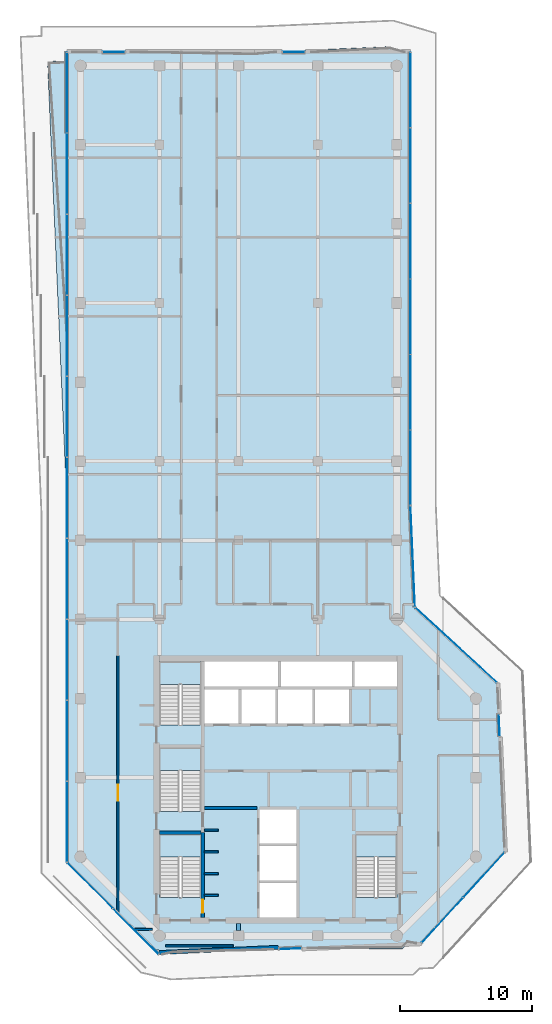
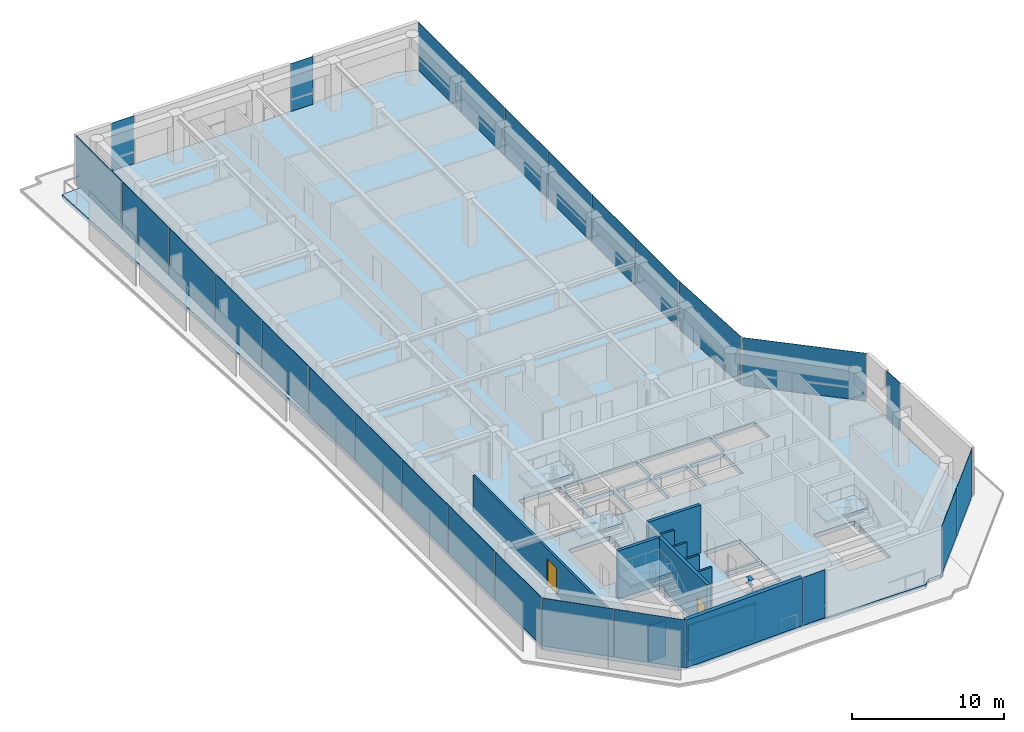
# One storey, part 16 of 21: 26 plates, 11 walls, 5 slabs, 2 doors, 1 beam, 2 openings, 14 elements without a shape of their own.
"""IFC4 building model written with IfcOpenShell, lengths in metres."""

from ifc_helpers import new_model, si_unit, direction, frame, frame_2d, origin, origin_2d, place, context, subcontext, project, spatial, polyline, rectangle, i_section, outline, extrude, material, layer, layer_set, material_profile, profile_set, type_object, element, fill, aggregate, save


model = new_model("IFC4")

# Units and contexts
model_context = context("Model", 3, precision=1e-05, world=origin(), true_north=direction((0.0, 1.0)))
body_context = subcontext(model_context, "Body", "Model", "MODEL_VIEW")
ifc_project = project(units=[si_unit("LENGTHUNIT", "METRE"), si_unit("AREAUNIT", "SQUARE_METRE"), si_unit("VOLUMEUNIT", "CUBIC_METRE"), si_unit("PLANEANGLEUNIT", "RADIAN"), si_unit("MASSUNIT", "GRAM", prefix="KILO")], contexts=[model_context])

# Site, building, storey
site_placement = place(None, origin())
site = spatial("IfcSite", under=ifc_project, at=site_placement, CompositionType="ELEMENT")
building_placement = place(site_placement, origin())
building = spatial("IfcBuilding", under=site, at=building_placement, Name="Welwitschia Terrace Campus", CompositionType="ELEMENT")
storey_placement = place(building_placement, frame((0.0, 0.0, 218.0)))
storey = spatial("IfcBuildingStorey", under=building, at=storey_placement, Name="L48", CompositionType="ELEMENT", Elevation=218.0)

# Beam
ifc_material_1 = material(Name="Steel S355", Category="steel")
ifc_material_profile = material_profile(ifc_material_1, i_section(OverallWidth=0.300048828125, OverallDepth=0.489990234375, WebThickness=0.011962890625, FlangeThickness=0.02294921875, FilletRadius=0.027099609375, at=origin_2d()))
ifc_profile_set = profile_set([ifc_material_profile], Name="Steel S355")
beam_type = type_object("IfcBeamType", Name="Primary beam HE 500 A", PredefinedType="BEAM", material=ifc_profile_set)
beam_placement = place(storey_placement, frame((12.0, 4.400390625, 3.60498046875), z_axis=(0.0, 1.0, 0.0), x_axis=(-1.0, 0.0, 0.0)))
element("IfcBeam", 1, at=beam_placement, inside=storey, type_object=beam_type, Name="Primary beam PB5", PredefinedType="BEAM", context=body_context, shape_type="SweptSolid", body=[
    extrude(i_section(OverallWidth=0.300048828125, OverallDepth=0.489990234375, WebThickness=0.011962890625, FlangeThickness=0.02294921875, FilletRadius=0.027099609375, at=origin_2d()), origin(), (0.0, 0.0, 1.0), 0.549560546875),
])

# Curtain wall, plates
ifc_material_2 = material(Name="Bronze anodised aluminium", Category="aluminium")
ifc_layer_1 = layer(ifc_material_2, 0.1201171875)
ifc_layer_set_1 = layer_set([ifc_layer_1], Name="Bronze anodised aluminium")
curtain_wall_type = type_object("IfcCurtainWallType", Name="Curtain wall CW2 tower 6000", PredefinedType="NOTDEFINED", material=ifc_layer_set_1)
curtain_wall_1_placement = place(storey_placement, origin())
curtain_wall_1 = element("IfcCurtainWall", 2, at=curtain_wall_1_placement, inside=storey, type_object=curtain_wall_type, Name="CW L48.0.0", PredefinedType="NOTDEFINED")
ifc_material_3 = material(Name="Tinted bronze-grey glass", Category="glass")
ifc_layer_2 = layer(ifc_material_3, 0.028076171875)
ifc_layer_set_2 = layer_set([ifc_layer_2], Name="Tinted bronze-grey glass")
plate_type = type_object("IfcPlateType", Name="Glass panel 28 tinted", PredefinedType="CURTAIN_PANEL", material=ifc_layer_set_2)
plate_1_placement = place(storey_placement, frame((0.726806640625, 7.81640625, 0.0), z_axis=(0.0, 0.0, 1.0), x_axis=(0.707106781187, -0.707106781187, 0.0)))
plate_1 = element("IfcPlate", 3, at=plate_1_placement, type_object=plate_type, Name="Panel L48.0.0.0", PredefinedType="CURTAIN_PANEL", context=body_context, shape_type="SweptSolid", body=[
    extrude(rectangle(XDim=4.849365234375, YDim=0.028076171875, at=origin_2d()), origin(), (0.0, 0.0, 1.0), 3.85009765625),
])
plate_2_placement = place(storey_placement, frame((4.1982421875, 4.344970703125, 0.0), z_axis=(0.0, 0.0, 1.0), x_axis=(0.707106781187, -0.707106781187, 0.0)))
plate_2 = element("IfcPlate", 4, at=plate_2_placement, type_object=plate_type, Name="Panel L48.0.0.1", PredefinedType="CURTAIN_PANEL", context=body_context, shape_type="SweptSolid", body=[
    extrude(rectangle(XDim=4.849365234375, YDim=0.028076171875, at=origin_2d()), origin(), (0.0, 0.0, 1.0), 3.85009765625),
])
aggregate(curtain_wall_1, [plate_1, plate_2])

# Curtain wall, plate
curtain_wall_2_placement = place(storey_placement, origin())
curtain_wall_2 = element("IfcCurtainWall", 5, at=curtain_wall_2_placement, inside=storey, type_object=curtain_wall_type, Name="CW L48.1.S0", PredefinedType="NOTDEFINED")
plate_3_placement = place(storey_placement, frame((15.914794921875, 3.02294921875, 0.0), z_axis=(0.0, 0.0, 1.0), x_axis=(0.999048221582, 0.043619387365, 0.0)))
plate_3 = element("IfcPlate", 6, at=plate_3_placement, type_object=plate_type, Name="Panel L48.1.S0.0", PredefinedType="CURTAIN_PANEL", context=body_context, shape_type="SweptSolid", body=[
    extrude(rectangle(XDim=1.679931640625, YDim=0.028076171875, at=origin_2d()), origin(), (0.0, 0.0, 1.0), 3.85009765625),
])
aggregate(curtain_wall_2, [plate_3])

# Curtain wall, plates
curtain_wall_3_placement = place(storey_placement, origin())
curtain_wall_3 = element("IfcCurtainWall", 7, at=curtain_wall_3_placement, inside=storey, type_object=curtain_wall_type, Name="CW L48.2.0", PredefinedType="NOTDEFINED")
plate_4_placement = place(storey_placement, frame((27.461669921875, 5.190185546875, 0.0), z_axis=(0.0, 0.0, 1.0), x_axis=(0.675590207616, 0.73727733681, 0.0)))
plate_4 = element("IfcPlate", 8, at=plate_4_placement, type_object=plate_type, Name="Panel L48.2.0.0", PredefinedType="CURTAIN_PANEL", context=body_context, shape_type="SweptSolid", body=[
    extrude(rectangle(XDim=4.579345703125, YDim=0.028076171875, at=origin_2d()), origin(), (0.0, 0.0, 1.0), 3.85009765625),
])
plate_5_placement = place(storey_placement, frame((30.595947265625, 8.610595703125, 0.0), z_axis=(0.0, 0.0, 1.0), x_axis=(0.675590207616, 0.73727733681, 0.0)))
plate_5 = element("IfcPlate", 9, at=plate_5_placement, type_object=plate_type, Name="Panel L48.2.0.1", PredefinedType="CURTAIN_PANEL", context=body_context, shape_type="SweptSolid", body=[
    extrude(rectangle(XDim=4.579345703125, YDim=0.028076171875, at=origin_2d()), origin(), (0.0, 0.0, 1.0), 3.85009765625),
])
aggregate(curtain_wall_3, [plate_4, plate_5])

# Curtain wall, plate
curtain_wall_4_placement = place(storey_placement, origin())
curtain_wall_4 = element("IfcCurtainWall", 10, at=curtain_wall_4_placement, inside=storey, type_object=curtain_wall_type, Name="CW L48.3.S0", PredefinedType="NOTDEFINED")
plate_6_placement = place(storey_placement, frame((31.762939453125, 19.9736328125, 0.0), z_axis=(0.0, 0.0, 1.0), x_axis=(-0.043619387365, 0.999048221582, 0.0)))
plate_6 = element("IfcPlate", 11, at=plate_6_placement, type_object=plate_type, Name="Panel L48.3.S0.0", PredefinedType="CURTAIN_PANEL", context=body_context, shape_type="SweptSolid", body=[
    extrude(rectangle(XDim=1.679931640625, YDim=0.028076171875, at=origin_2d()), origin(), (0.0, 0.0, 1.0), 3.85009765625),
])
aggregate(curtain_wall_4, [plate_6])

curtain_wall_5_placement = place(storey_placement, origin())
curtain_wall_5 = element("IfcCurtainWall", 12, at=curtain_wall_5_placement, inside=storey, type_object=curtain_wall_type, Name="CW L48.4.0", PredefinedType="NOTDEFINED")
plate_7_placement = place(storey_placement, frame((28.494873046875, 26.05029296875, 0.0), z_axis=(0.0, 0.0, 1.0), x_axis=(-0.73727733681, 0.675590207616, 0.0)))
plate_7 = element("IfcPlate", 13, at=plate_7_placement, type_object=plate_type, Name="Panel L48.4.0.0", PredefinedType="CURTAIN_PANEL", context=body_context, shape_type="SweptSolid", body=[
    extrude(rectangle(XDim=8.365234375, YDim=0.028076171875, at=origin_2d()), origin(), (0.0, 0.0, 1.0), 3.85009765625),
])
aggregate(curtain_wall_5, [plate_7])

curtain_wall_6_placement = place(storey_placement, origin())
curtain_wall_6 = element("IfcCurtainWall", 14, at=curtain_wall_6_placement, inside=storey, type_object=curtain_wall_type, Name="CW L48.5.0", PredefinedType="NOTDEFINED")
plate_8_placement = place(storey_placement, frame((25.198486328125, 32.77294921875, 0.0), z_axis=(0.0, 0.0, 1.0), x_axis=(-0.043619387365, 0.999048221582, 0.0)))
plate_8 = element("IfcPlate", 15, at=plate_8_placement, type_object=plate_type, Name="Panel L48.5.0.0", PredefinedType="CURTAIN_PANEL", context=body_context, shape_type="SweptSolid", body=[
    extrude(rectangle(XDim=7.60009765625, YDim=0.028076171875, at=origin_2d()), origin(), (0.0, 0.0, 1.0), 3.85009765625),
])
aggregate(curtain_wall_6, [plate_8])

# Curtain wall, plates
curtain_wall_7_placement = place(storey_placement, origin())
curtain_wall_7 = element("IfcCurtainWall", 16, at=curtain_wall_7_placement, inside=storey, type_object=curtain_wall_type, Name="CW L48.6.0", PredefinedType="NOTDEFINED")
plate_9_placement = place(storey_placement, frame((25.030029296875, 39.510498046875, 0.0), z_axis=(0.0, 0.0, 1.0), x_axis=(0.0, 1.0, 0.0)))
plate_9 = element("IfcPlate", 17, at=plate_9_placement, type_object=plate_type, Name="Panel L48.6.0.0", PredefinedType="CURTAIN_PANEL", context=body_context, shape_type="SweptSolid", body=[
    extrude(rectangle(XDim=5.64208984375, YDim=0.028076171875, at=origin_2d()), origin(), (0.0, 0.0, 1.0), 3.85009765625),
])
plate_10_placement = place(storey_placement, frame((25.030029296875, 45.2275390625, 0.0), z_axis=(0.0, 0.0, 1.0), x_axis=(0.0, 1.0, 0.0)))
plate_10 = element("IfcPlate", 18, at=plate_10_placement, type_object=plate_type, Name="Panel L48.6.0.1", PredefinedType="CURTAIN_PANEL", context=body_context, shape_type="SweptSolid", body=[
    extrude(rectangle(XDim=5.672119140625, YDim=0.028076171875, at=origin_2d()), origin(), (0.0, 0.0, 1.0), 3.85009765625),
])
plate_11_placement = place(storey_placement, frame((25.030029296875, 50.959716796875, 0.0), z_axis=(0.0, 0.0, 1.0), x_axis=(0.0, 1.0, 0.0)))
plate_11 = element("IfcPlate", 19, at=plate_11_placement, type_object=plate_type, Name="Panel L48.6.0.2", PredefinedType="CURTAIN_PANEL", context=body_context, shape_type="SweptSolid", body=[
    extrude(rectangle(XDim=5.672119140625, YDim=0.028076171875, at=origin_2d()), origin(), (0.0, 0.0, 1.0), 3.85009765625),
])
plate_12_placement = place(storey_placement, frame((25.030029296875, 56.69189453125, 0.0), z_axis=(0.0, 0.0, 1.0), x_axis=(0.0, 1.0, 0.0)))
plate_12 = element("IfcPlate", 20, at=plate_12_placement, type_object=plate_type, Name="Panel L48.6.0.3", PredefinedType="CURTAIN_PANEL", context=body_context, shape_type="SweptSolid", body=[
    extrude(rectangle(XDim=5.672119140625, YDim=0.028076171875, at=origin_2d()), origin(), (0.0, 0.0, 1.0), 3.85009765625),
])
plate_13_placement = place(storey_placement, frame((25.030029296875, 62.424072265625, 0.0), z_axis=(0.0, 0.0, 1.0), x_axis=(0.0, 1.0, 0.0)))
plate_13 = element("IfcPlate", 21, at=plate_13_placement, type_object=plate_type, Name="Panel L48.6.0.4", PredefinedType="CURTAIN_PANEL", context=body_context, shape_type="SweptSolid", body=[
    extrude(rectangle(XDim=5.672119140625, YDim=0.028076171875, at=origin_2d()), origin(), (0.0, 0.0, 1.0), 3.85009765625),
])
plate_14_placement = place(storey_placement, frame((25.030029296875, 68.141357421875, 0.0), z_axis=(0.0, 0.0, 1.0), x_axis=(0.0, 1.0, 0.0)))
plate_14 = element("IfcPlate", 22, at=plate_14_placement, type_object=plate_type, Name="Panel L48.6.0.5", PredefinedType="CURTAIN_PANEL", context=body_context, shape_type="SweptSolid", body=[
    extrude(rectangle(XDim=5.64208984375, YDim=0.028076171875, at=origin_2d()), origin(), (0.0, 0.0, 1.0), 3.85009765625),
])
aggregate(curtain_wall_7, [plate_9, plate_10, plate_11, plate_12, plate_13, plate_14])

# Curtain wall, plate
curtain_wall_8_placement = place(storey_placement, origin())
curtain_wall_8 = element("IfcCurtainWall", 23, at=curtain_wall_8_placement, inside=storey, type_object=curtain_wall_type, Name="CW L48.7.S0", PredefinedType="NOTDEFINED")
plate_15_placement = place(storey_placement, frame((16.17041015625, 71.028076171875, 0.0), z_axis=(0.0, 0.0, 1.0), x_axis=(-0.999999794897, 0.000640473955, 0.0)))
plate_15 = element("IfcPlate", 24, at=plate_15_placement, type_object=plate_type, Name="Panel L48.7.S0.0", PredefinedType="CURTAIN_PANEL", context=body_context, shape_type="SweptSolid", body=[
    extrude(rectangle(XDim=1.679931640625, YDim=0.028076171875, at=origin_2d()), origin(), (0.0, 0.0, 1.0), 3.85009765625),
])
aggregate(curtain_wall_8, [plate_15])

curtain_wall_9_placement = place(storey_placement, origin())
curtain_wall_9 = element("IfcCurtainWall", 25, at=curtain_wall_9_placement, inside=storey, type_object=curtain_wall_type, Name="CW L48.8.S0", PredefinedType="NOTDEFINED")
plate_16_placement = place(storey_placement, frame((2.53173828125, 71.030029296875, 0.0), z_axis=(0.0, 0.0, 1.0), x_axis=(-1.0, 0.0, 0.0)))
plate_16 = element("IfcPlate", 26, at=plate_16_placement, type_object=plate_type, Name="Panel L48.8.S0.0", PredefinedType="CURTAIN_PANEL", context=body_context, shape_type="SweptSolid", body=[
    extrude(rectangle(XDim=1.679931640625, YDim=0.028076171875, at=origin_2d()), origin(), (0.0, 0.0, 1.0), 3.85009765625),
])
aggregate(curtain_wall_9, [plate_16])

# Curtain wall, plates
curtain_wall_10_placement = place(storey_placement, origin())
curtain_wall_10 = element("IfcCurtainWall", 27, at=curtain_wall_10_placement, inside=storey, type_object=curtain_wall_type, Name="CW L48.9.0", PredefinedType="NOTDEFINED")
plate_17_placement = place(storey_placement, frame((-1.030029296875, 67.942138671875, 0.0), z_axis=(0.0, 0.0, 1.0), x_axis=(0.0, -1.0, 0.0)))
plate_17 = element("IfcPlate", 28, at=plate_17_placement, type_object=plate_type, Name="Panel L48.9.0.0", PredefinedType="CURTAIN_PANEL", context=body_context, shape_type="SweptSolid", body=[
    extrude(rectangle(XDim=6.0556640625, YDim=0.028076171875, at=origin_2d()), origin(), (0.0, 0.0, 1.0), 3.85009765625),
])
plate_18_placement = place(storey_placement, frame((-1.030029296875, 61.8115234375, 0.0), z_axis=(0.0, 0.0, 1.0), x_axis=(0.0, -1.0, 0.0)))
plate_18 = element("IfcPlate", 29, at=plate_18_placement, type_object=plate_type, Name="Panel L48.9.0.1", PredefinedType="CURTAIN_PANEL", context=body_context, shape_type="SweptSolid", body=[
    extrude(rectangle(XDim=6.085693359375, YDim=0.028076171875, at=origin_2d()), origin(), (0.0, 0.0, 1.0), 3.85009765625),
])
plate_19_placement = place(storey_placement, frame((-1.030029296875, 55.665771484375, 0.0), z_axis=(0.0, 0.0, 1.0), x_axis=(0.0, -1.0, 0.0)))
plate_19 = element("IfcPlate", 30, at=plate_19_placement, type_object=plate_type, Name="Panel L48.9.0.2", PredefinedType="CURTAIN_PANEL", context=body_context, shape_type="SweptSolid", body=[
    extrude(rectangle(XDim=6.085693359375, YDim=0.028076171875, at=origin_2d()), origin(), (0.0, 0.0, 1.0), 3.85009765625),
])
plate_20_placement = place(storey_placement, frame((-1.030029296875, 49.520263671875, 0.0), z_axis=(0.0, 0.0, 1.0), x_axis=(0.0, -1.0, 0.0)))
plate_20 = element("IfcPlate", 31, at=plate_20_placement, type_object=plate_type, Name="Panel L48.9.0.3", PredefinedType="CURTAIN_PANEL", context=body_context, shape_type="SweptSolid", body=[
    extrude(rectangle(XDim=6.085693359375, YDim=0.028076171875, at=origin_2d()), origin(), (0.0, 0.0, 1.0), 3.85009765625),
])
plate_21_placement = place(storey_placement, frame((-1.030029296875, 43.37451171875, 0.0), z_axis=(0.0, 0.0, 1.0), x_axis=(0.0, -1.0, 0.0)))
plate_21 = element("IfcPlate", 32, at=plate_21_placement, type_object=plate_type, Name="Panel L48.9.0.4", PredefinedType="CURTAIN_PANEL", context=body_context, shape_type="SweptSolid", body=[
    extrude(rectangle(XDim=6.085693359375, YDim=0.028076171875, at=origin_2d()), origin(), (0.0, 0.0, 1.0), 3.85009765625),
])
plate_22_placement = place(storey_placement, frame((-1.030029296875, 37.228759765625, 0.0), z_axis=(0.0, 0.0, 1.0), x_axis=(0.0, -1.0, 0.0)))
plate_22 = element("IfcPlate", 33, at=plate_22_placement, type_object=plate_type, Name="Panel L48.9.0.5", PredefinedType="CURTAIN_PANEL", context=body_context, shape_type="SweptSolid", body=[
    extrude(rectangle(XDim=6.085693359375, YDim=0.028076171875, at=origin_2d()), origin(), (0.0, 0.0, 1.0), 3.85009765625),
])
plate_23_placement = place(storey_placement, frame((-1.030029296875, 31.083251953125, 0.0), z_axis=(0.0, 0.0, 1.0), x_axis=(0.0, -1.0, 0.0)))
plate_23 = element("IfcPlate", 34, at=plate_23_placement, type_object=plate_type, Name="Panel L48.9.0.6", PredefinedType="CURTAIN_PANEL", context=body_context, shape_type="SweptSolid", body=[
    extrude(rectangle(XDim=6.085693359375, YDim=0.028076171875, at=origin_2d()), origin(), (0.0, 0.0, 1.0), 3.85009765625),
])
plate_24_placement = place(storey_placement, frame((-1.030029296875, 24.9375, 0.0), z_axis=(0.0, 0.0, 1.0), x_axis=(0.0, -1.0, 0.0)))
plate_24 = element("IfcPlate", 35, at=plate_24_placement, type_object=plate_type, Name="Panel L48.9.0.7", PredefinedType="CURTAIN_PANEL", context=body_context, shape_type="SweptSolid", body=[
    extrude(rectangle(XDim=6.085693359375, YDim=0.028076171875, at=origin_2d()), origin(), (0.0, 0.0, 1.0), 3.85009765625),
])
plate_25_placement = place(storey_placement, frame((-1.030029296875, 18.791748046875, 0.0), z_axis=(0.0, 0.0, 1.0), x_axis=(0.0, -1.0, 0.0)))
plate_25 = element("IfcPlate", 36, at=plate_25_placement, type_object=plate_type, Name="Panel L48.9.0.8", PredefinedType="CURTAIN_PANEL", context=body_context, shape_type="SweptSolid", body=[
    extrude(rectangle(XDim=6.085693359375, YDim=0.028076171875, at=origin_2d()), origin(), (0.0, 0.0, 1.0), 3.85009765625),
])
plate_26_placement = place(storey_placement, frame((-1.030029296875, 12.6611328125, 0.0), z_axis=(0.0, 0.0, 1.0), x_axis=(0.0, -1.0, 0.0)))
plate_26 = element("IfcPlate", 37, at=plate_26_placement, type_object=plate_type, Name="Panel L48.9.0.9", PredefinedType="CURTAIN_PANEL", context=body_context, shape_type="SweptSolid", body=[
    extrude(rectangle(XDim=6.0556640625, YDim=0.028076171875, at=origin_2d()), origin(), (0.0, 0.0, 1.0), 3.85009765625),
])
aggregate(curtain_wall_10, [plate_17, plate_18, plate_19, plate_20, plate_21, plate_22, plate_23, plate_24, plate_25, plate_26])

# Stair, slab
ifc_material_4 = material(Name="Concrete C40/50", Category="concrete")
stair_type = type_object("IfcStairType", Name="Stair 24R 175 W1500", PredefinedType="HALF_TURN_STAIR", material=ifc_material_4)
stair_1_placement = place(storey_placement, origin())
stair_1 = element("IfcStair", 38, at=stair_1_placement, inside=storey, type_object=stair_type, Name="L48 Exit stair S1", PredefinedType="HALF_TURN_STAIR")
ifc_material_5 = material(Name="Concrete C40/50", Category="concrete")
ifc_layer_3 = layer(ifc_material_5, 0.199951171875)
ifc_layer_set_3 = layer_set([ifc_layer_3], Name="Concrete C40/50")
slab_type_1 = type_object("IfcSlabType", Name="Stair landing RC", PredefinedType="LANDING", material=ifc_layer_set_3)
slab_1_placement = place(storey_placement, frame((0.0, 0.0, 1.89990234375)))
slab_1 = element("IfcSlab", 39, at=slab_1_placement, type_object=slab_type_1, Name="S1 landing 1", PredefinedType="LANDING", context=body_context, shape_type="SweptSolid", body=[
    extrude(outline(polyline([(9.14990234375, 9.97998046875), (9.14990234375, 11.699951171875), (6.0, 11.699951171875), (6.0, 9.97998046875), (9.14990234375, 9.97998046875)])), origin(), (0.0, 0.0, 1.0), 0.2001953125),
])
aggregate(stair_1, [slab_1])

stair_2_placement = place(storey_placement, origin())
stair_2 = element("IfcStair", 40, at=stair_2_placement, inside=storey, type_object=stair_type, Name="L48 Exit stair S3", PredefinedType="HALF_TURN_STAIR")
slab_2_placement = place(storey_placement, frame((0.0, 0.0, 1.89990234375)))
slab_2 = element("IfcSlab", 41, at=slab_2_placement, type_object=slab_type_1, Name="S3 landing 1", PredefinedType="LANDING", context=body_context, shape_type="SweptSolid", body=[
    extrude(outline(polyline([(9.14990234375, 16.530029296875), (9.14990234375, 18.25), (6.0, 18.25), (6.0, 16.530029296875), (9.14990234375, 16.530029296875)])), origin(), (0.0, 0.0, 1.0), 0.2001953125),
])
aggregate(stair_2, [slab_2])

stair_3_placement = place(storey_placement, origin())
stair_3 = element("IfcStair", 42, at=stair_3_placement, inside=storey, type_object=stair_type, Name="L48 Exit stair S4", PredefinedType="HALF_TURN_STAIR")
slab_3_placement = place(storey_placement, frame((0.0, 0.0, 1.89990234375)))
slab_3 = element("IfcSlab", 43, at=slab_3_placement, type_object=slab_type_1, Name="S4 landing 1", PredefinedType="LANDING", context=body_context, shape_type="SweptSolid", body=[
    extrude(outline(polyline([(9.14990234375, 23.080078125), (9.14990234375, 24.800048828125), (6.0, 24.800048828125), (6.0, 23.080078125), (9.14990234375, 23.080078125)])), origin(), (0.0, 0.0, 1.0), 0.2001953125),
])
aggregate(stair_3, [slab_3])

stair_4_placement = place(storey_placement, origin())
stair_4 = element("IfcStair", 44, at=stair_4_placement, inside=storey, type_object=stair_type, Name="L48 Exit stair S2", PredefinedType="HALF_TURN_STAIR")
slab_4_placement = place(storey_placement, frame((0.0, 0.0, 1.89990234375)))
slab_4 = element("IfcSlab", 45, at=slab_4_placement, type_object=slab_type_1, Name="S2 landing 1", PredefinedType="LANDING", context=body_context, shape_type="SweptSolid", body=[
    extrude(outline(polyline([(24.0, 9.97998046875), (24.0, 11.699951171875), (20.85009765625, 11.699951171875), (20.85009765625, 9.97998046875), (24.0, 9.97998046875)])), origin(), (0.0, 0.0, 1.0), 0.2001953125),
])
aggregate(stair_4, [slab_4])

# Slab
ifc_material_6 = material(Name="Concrete C40/50", Category="concrete")
ifc_layer_4 = layer(ifc_material_6, 0.35009765625)
ifc_layer_set_4 = layer_set([ifc_layer_4], Name="Concrete C40/50")
slab_type_2 = type_object("IfcSlabType", Name="Suspended floor slab 350", PredefinedType="FLOOR", material=ifc_layer_set_4)
slab_5_placement = place(storey_placement, frame((0.0, 0.0, -0.35009765625)))
element("IfcSlab", 46, at=slab_5_placement, inside=storey, type_object=slab_type_2, Name="Floor slab L48", PredefinedType="FLOOR", context=body_context, shape_type="SweptSolid", body=[
    extrude(outline(polyline([(-2.49560546875, 70.31396484375), (-1.0, 70.379150390625), (-1.0, 71.0), (13.2177734375, 71.0), (23.479736328125, 71.447998046875), (25.0, 71.0), (25.0, 36.628662109375), (25.33740234375, 28.90283203125), (31.59326171875, 23.170166015625), (32.15283203125, 10.35400390625), (25.860595703125, 3.4873046875), (24.857666015625, 3.443359375), (24.414306640625, 3.0), (14.701416015625, 3.0), (7.050048828125, 2.666015625), (5.585693359375, 3.0), (-1.0, 9.585693359375), (-1.0, 36.061279296875), (-2.49560546875, 70.31396484375)]), holes=[polyline([(13.60009765625, 8.0), (13.60009765625, 5.39990234375), (16.39990234375, 5.39990234375), (16.39990234375, 8.0), (13.60009765625, 8.0)]), polyline([(9.14990234375, 11.699951171875), (6.0, 11.699951171875), (6.0, 6.902099609375), (9.14990234375, 6.902099609375), (9.14990234375, 11.699951171875)]), polyline([(9.14990234375, 18.25), (6.0, 18.25), (6.0, 13.451904296875), (9.14990234375, 13.451904296875), (9.14990234375, 18.25)]), polyline([(12.0, 22.699951171875), (9.39990234375, 22.699951171875), (9.39990234375, 20.10009765625), (12.0, 20.10009765625), (12.0, 22.699951171875)]), polyline([(14.800048828125, 22.699951171875), (12.199951171875, 22.699951171875), (12.199951171875, 20.10009765625), (14.800048828125, 20.10009765625), (14.800048828125, 22.699951171875)]), polyline([(9.14990234375, 24.800048828125), (6.0, 24.800048828125), (6.0, 20.001953125), (9.14990234375, 20.001953125), (9.14990234375, 24.800048828125)]), polyline([(15.0, 24.800048828125), (9.39990234375, 24.800048828125), (9.39990234375, 22.89990234375), (15.0, 22.89990234375), (15.0, 24.800048828125)]), polyline([(20.85009765625, 11.699951171875), (20.85009765625, 6.902099609375), (24.0, 6.902099609375), (24.0, 11.699951171875), (20.85009765625, 11.699951171875)]), polyline([(16.39990234375, 10.800048828125), (13.60009765625, 10.800048828125), (13.60009765625, 8.199951171875), (16.39990234375, 8.199951171875), (16.39990234375, 10.800048828125)]), polyline([(16.39990234375, 13.60009765625), (13.60009765625, 13.60009765625), (13.60009765625, 11.0), (16.39990234375, 11.0), (16.39990234375, 13.60009765625)]), polyline([(17.60009765625, 22.699951171875), (15.0, 22.699951171875), (15.0, 20.10009765625), (17.60009765625, 20.10009765625), (17.60009765625, 22.699951171875)]), polyline([(20.39990234375, 22.699951171875), (17.800048828125, 22.699951171875), (17.800048828125, 20.10009765625), (20.39990234375, 20.10009765625), (20.39990234375, 22.699951171875)]), polyline([(20.60009765625, 24.800048828125), (15.199951171875, 24.800048828125), (15.199951171875, 22.89990234375), (20.60009765625, 22.89990234375), (20.60009765625, 24.800048828125)]), polyline([(24.0, 24.800048828125), (20.800048828125, 24.800048828125), (20.800048828125, 22.89990234375), (24.0, 22.89990234375), (24.0, 24.800048828125)])]), origin(), (0.0, 0.0, 1.0), 0.35009765625),
])

# Walls
ifc_material_7 = material(Name="Concrete C32/40", Category="concrete")
ifc_layer_5 = layer(ifc_material_7, 0.22509765625)
ifc_layer_set_5 = layer_set([ifc_layer_5], Name="Concrete C32/40")
wall_type_1 = type_object("IfcWallType", Name="Core partition 225 Concrete C32/40", PredefinedType="PARTITIONING", material=ifc_layer_set_5)
wall_1_placement = place(storey_placement, frame((9.39990234375, 13.699951171875, 0.0), z_axis=(0.0, 0.0, 1.0), x_axis=(1.0, 0.0, 0.0)))
element("IfcWall", 47, at=wall_1_placement, inside=storey, type_object=wall_type_1, Name="Core partition", PredefinedType="PARTITIONING", context=body_context, shape_type="SweptSolid", body=[
    extrude(rectangle(XDim=4.0, YDim=0.22509765625, at=frame_2d((2.0, 0.0))), origin(), (0.0, 0.0, 1.0), 3.85009765625),
])
ifc_material_8 = material(Name="Concrete C50/60", Category="concrete")
ifc_layer_6 = layer(ifc_material_8, 0.14990234375)
ifc_layer_set_6 = layer_set([ifc_layer_6], Name="Concrete C50/60")
wall_type_2 = type_object("IfcWallType", Name="Core wall 150 Concrete C50/60", PredefinedType="SHEAR", material=ifc_layer_set_6)
for number, where, z_axis, x_axis, name in (
    (48, (9.39990234375, 7.074951171875, 0.0), (0.0, 0.0, 1.0), (1.0, 0.0, 0.0), "Core wall"),
    (49, (9.39990234375, 8.72509765625, 0.0), (0.0, 0.0, 1.0), (1.0, 0.0, 0.0), "Core wall"),
    (50, (9.39990234375, 10.375, 0.0), (0.0, 0.0, 1.0), (1.0, 0.0, 0.0), "Core wall"),
    (51, (9.39990234375, 12.02490234375, 0.0), (0.0, 0.0, 1.0), (1.0, 0.0, 0.0), "Core wall"),
):
    element("IfcWall", number, at=place(storey_placement, frame(where, z_axis=z_axis, x_axis=x_axis)), inside=storey, type_object=wall_type_2, Name=name, PredefinedType="SHEAR", context=body_context, shape_type="SweptSolid", body=[
        extrude(rectangle(XDim=1.050048828125, YDim=0.14990234375, at=frame_2d((0.52490234375, 0.0))), origin(), (0.0, 0.0, 1.0), 3.85009765625),
    ])
ifc_material_9 = material(Name="Concrete C50/60", Category="concrete")
ifc_layer_7 = layer(ifc_material_9, 0.25)
ifc_layer_set_7 = layer_set([ifc_layer_7], Name="Concrete C50/60")
wall_type_3 = type_object("IfcWallType", Name="Core wall 250 Concrete C50/60", PredefinedType="SHEAR", material=ifc_layer_set_7)
wall_2_placement = place(storey_placement, frame((6.0, 11.824951171875, 0.0), z_axis=(0.0, 0.0, 1.0), x_axis=(1.0, 0.0, 0.0)))
element("IfcWall", 52, at=wall_2_placement, inside=storey, type_object=wall_type_3, Name="Core wall", PredefinedType="SHEAR", context=body_context, shape_type="SweptSolid", body=[
    extrude(rectangle(XDim=3.14990234375, YDim=0.25, at=frame_2d((1.574951171875, 0.0))), origin(), (0.0, 0.0, 1.0), 3.85009765625),
])

# Wall, opening, door
wall_3_placement = place(storey_placement, frame((9.27490234375, 11.824951171875, 0.0), z_axis=(0.0, 0.0, 1.0), x_axis=(0.0, -1.0, 0.0)))
wall_3 = element("IfcWall", 53, at=wall_3_placement, inside=storey, type_object=wall_type_3, Name="Core wall", PredefinedType="SHEAR", context=body_context, shape_type="SweptSolid", body=[
    extrude(rectangle(XDim=6.425048828125, YDim=0.25, at=frame_2d((3.21240234375, 0.0))), origin(), (0.0, 0.0, 1.0), 3.85009765625),
])
opening_1_placement = place(wall_3_placement, frame((5.074951171875, 0.0, 0.0)))
opening_1 = element("IfcOpeningElement", 54, at=opening_1_placement, cuts=wall_3, Name="Opening DS10", PredefinedType="OPENING", context=body_context, shape_type="SweptSolid", body=[
    extrude(rectangle(XDim=1.0, YDim=2.10009765625, at=frame_2d((0.5, 1.050048828125))), frame((0.0, 0.135009765625, 0.0), z_axis=(0.0, -1.0, 0.0), x_axis=(1.0, 0.0, 0.0)), (0.0, 0.0, 1.0), 0.27001953125),
])
ifc_material_10 = material(Name="Steel S275", Category="steel")
door_type_1 = type_object("IfcDoorType", Name="Core door DS10", OperationType="SINGLE_SWING_LEFT", PredefinedType="DOOR", material=ifc_material_10)
door_1_placement = place(opening_1_placement, origin())
door_1 = element("IfcDoor", 55, at=door_1_placement, inside=storey, type_object=door_type_1, Name="Door S1-FL", OperationType="SINGLE_SWING_RIGHT", OverallHeight=2.10009765625, OverallWidth=1.0, PredefinedType="DOOR", context=body_context, shape_type="SweptSolid", body=[
    extrude(rectangle(XDim=1.0, YDim=2.10009765625, at=frame_2d((0.5, 1.050048828125))), frame((0.0, 0.02490234375, 0.0), z_axis=(0.0, -1.0, 0.0), x_axis=(1.0, 0.0, 0.0)), (0.0, 0.0, 1.0), 0.050048828125),
])
fill(opening_1, door_1)

ifc_material_11 = material(Name="Gypsum board on steel studs", Category="steel")
ifc_layer_8 = layer(ifc_material_11, 0.14990234375)
ifc_layer_set_8 = layer_set([ifc_layer_8], Name="Gypsum board on steel studs")
wall_type_4 = type_object("IfcWallType", Name="Corridor partition 150 EI 30", PredefinedType="PARTITIONING", material=ifc_layer_set_8)
wall_4_placement = place(storey_placement, frame((2.85009765625, 5.77001953125, 0.0), z_axis=(0.0, 0.0, 1.0), x_axis=(0.0, 1.0, 0.0)))
wall_4 = element("IfcWall", 56, at=wall_4_placement, inside=storey, type_object=wall_type_4, Name="Partition", PredefinedType="PARTITIONING", context=body_context, shape_type="SweptSolid", body=[
    extrude(rectangle(XDim=19.47998046875, YDim=0.14990234375, at=frame_2d((9.739990234375, 0.0))), origin(), (0.0, 0.0, 1.0), 2.8798828125),
])
opening_2_placement = place(wall_4_placement, frame((8.47998046875, 0.0, 0.0)))
opening_2 = element("IfcOpeningElement", 57, at=opening_2_placement, cuts=wall_4, Name="Opening DI12", PredefinedType="OPENING", context=body_context, shape_type="SweptSolid", body=[
    extrude(rectangle(XDim=1.199951171875, YDim=2.10009765625, at=frame_2d((0.60009765625, 1.050048828125))), frame((0.0, 0.0849609375, 0.0), z_axis=(0.0, -1.0, 0.0), x_axis=(1.0, 0.0, 0.0)), (0.0, 0.0, 1.0), 0.169921875),
])
ifc_material_12 = material(Name="Timber veneered door", Category="wood")
door_type_2 = type_object("IfcDoorType", Name="Interior door DI12", OperationType="NOTDEFINED", PredefinedType="DOOR", material=ifc_material_12)
door_2_placement = place(opening_2_placement, origin())
door_2 = element("IfcDoor", 58, at=door_2_placement, inside=storey, type_object=door_type_2, Name="Door L48 897", OperationType="SINGLE_SWING_RIGHT", OverallHeight=2.10009765625, OverallWidth=1.199951171875, PredefinedType="DOOR", context=body_context, shape_type="SweptSolid", body=[
    extrude(rectangle(XDim=1.199951171875, YDim=2.10009765625, at=frame_2d((0.60009765625, 1.050048828125))), frame((0.0, 0.02490234375, 0.0), z_axis=(0.0, -1.0, 0.0), x_axis=(1.0, 0.0, 0.0)), (0.0, 0.0, 1.0), 0.050048828125),
])
fill(opening_2, door_2)

# Walls
wall_5_placement = place(storey_placement, frame((4.110107421875, 4.5, 0.0), z_axis=(0.0, 0.0, 1.0), x_axis=(1.0, 0.0, 0.0)))
element("IfcWall", 59, at=wall_5_placement, inside=storey, type_object=wall_type_4, Name="Partition", PredefinedType="PARTITIONING", context=body_context, shape_type="SweptSolid", body=[
    extrude(rectangle(XDim=1.33984375, YDim=0.14990234375, at=frame_2d((0.669921875, 0.0))), origin(), (0.0, 0.0, 1.0), 2.8798828125),
])
wall_6_placement = place(storey_placement, frame((6.4599609375, 3.25, 0.0), z_axis=(0.0, 0.0, 1.0), x_axis=(1.0, 0.0, 0.0)))
element("IfcWall", 60, at=wall_6_placement, inside=storey, type_object=wall_type_4, Name="Partition", PredefinedType="PARTITIONING", context=body_context, shape_type="SweptSolid", body=[
    extrude(rectangle(XDim=5.130126953125, YDim=0.14990234375, at=frame_2d((2.56494140625, 0.0))), origin(), (0.0, 0.0, 1.0), 2.8798828125),
])
ifc_material_13 = material(Name="Concrete C40/50", Category="concrete")
ifc_layer_9 = layer(ifc_material_13, 0.300048828125)
ifc_layer_set_9 = layer_set([ifc_layer_9], Name="Concrete C40/50")
wall_type_5 = type_object("IfcWallType", Name="Mass wall 300", PredefinedType="SOLIDWALL", material=ifc_layer_set_9)
wall_7_placement = place(storey_placement, frame((5.94873046875, 2.738037109375, 0.0), z_axis=(0.0, 0.0, 1.0), x_axis=(0.99904857496, 0.043611292917, 0.0)))
element("IfcWall", 61, at=wall_7_placement, inside=storey, type_object=wall_type_5, Name="Mass wall L48.1.0", PredefinedType="SOLIDWALL", context=body_context, shape_type="SweptSolid", body=[
    extrude(rectangle(XDim=9.06884765625, YDim=0.300048828125, at=frame_2d((4.534423828125, 0.0))), origin(), (0.0, 0.0, 1.0), 3.85009765625),
])

save(model, "model.ifc")
